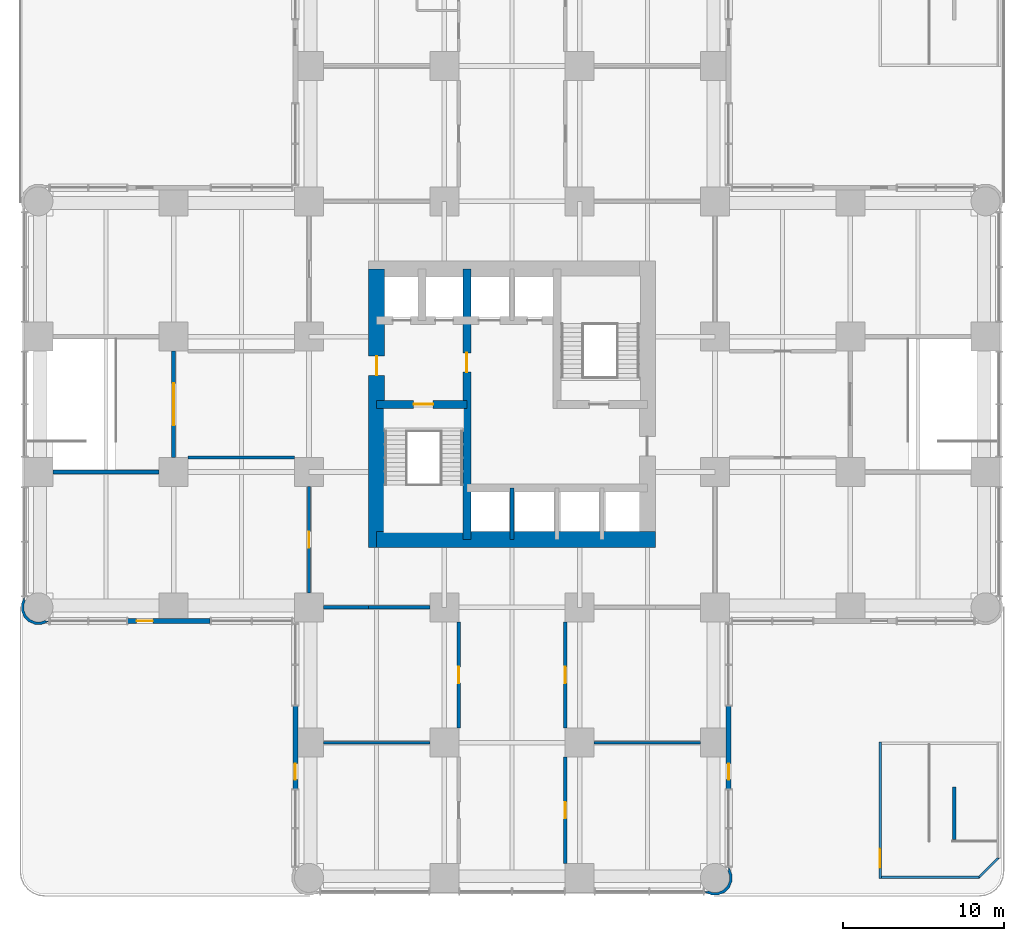
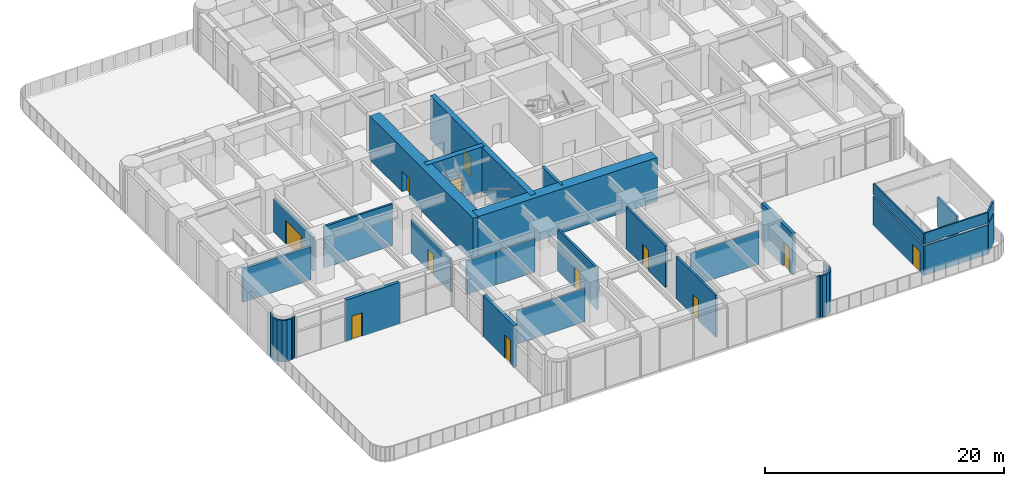
# One storey, part 10 of 21: 28 walls, 12 doors, 12 openings.
"""IFC4 building model written with IfcOpenShell, lengths in metres."""

import ifcopenshell
import ifcopenshell.guid

model = None  # the IFC model being written
_history = None  # IfcOwnerHistory: only IFC2X3 demands one
_inside = {}  # id of a spatial element -> (the spatial element, [elements in it])
_under = {}  # id of a project, library or spatial element -> (it, [spatial elements below it])
_declared = {}  # id of a project -> (the project, [libraries it declares])
_typed = {}  # id of a type object -> (the type object, [elements of that type])
_made_of = {}  # id of a material, layer set ... -> (it, [elements and type objects made of it])


def new_model(schema):
    """Start an empty IFC model of exactly this schema.

    Asked for "IFC4X3", IfcOpenShell would pick the latest addendum, in which some entities
    have other attributes; the version numbers below select the first issue.
    IFC2X3 requires an IfcOwnerHistory on every rooted entity: one is made here for all.
    """
    global model, _history
    if schema == "IFC4X3":
        model = ifcopenshell.file(schema_version=(4, 3, 0, 0))
    else:
        model = ifcopenshell.file(schema=schema)
    _inside.clear()
    _under.clear()
    _declared.clear()
    _typed.clear()
    _made_of.clear()
    _history = None
    if model.schema == "IFC2X3":
        org = make("IfcOrganization", Name="unknown")
        user = make(
            "IfcPersonAndOrganization",
            ThePerson=make("IfcPerson", FamilyName="unknown"),
            TheOrganization=org,
        )
        app = make(
            "IfcApplication",
            ApplicationDeveloper=org,
            Version="unknown",
            ApplicationFullName="unknown",
            ApplicationIdentifier="unknown",
        )
        _history = make(
            "IfcOwnerHistory",
            OwningUser=user,
            OwningApplication=app,
            ChangeAction="ADDED",
            CreationDate=0,
        )
    return model


def make(cls, **values):
    """One entity of the class cls with the attributes given. An attribute that is None is left unset."""
    return model.create_entity(
        cls, **{name: value for name, value in values.items() if value is not None}
    )


def rooted(cls, **values):
    """An entity with a GlobalId (a new one), such as an element, a storey or a relation."""
    return make(cls, GlobalId=ifcopenshell.guid.new(), OwnerHistory=_history, **values)


def si_unit(unit_type, name, prefix=None):
    """IfcSIUnit, for example si_unit("LENGTHUNIT", "METRE", prefix="MILLI")."""
    return make("IfcSIUnit", UnitType=unit_type, Prefix=prefix, Name=name)


def assignment(units):
    """IfcUnitAssignment: the units of a project."""
    return None if units is None else make("IfcUnitAssignment", Units=units)


def point(xyz):
    """IfcCartesianPoint."""
    return None if xyz is None else make("IfcCartesianPoint", Coordinates=xyz)


def direction(xyz):
    """IfcDirection."""
    return None if xyz is None else make("IfcDirection", DirectionRatios=xyz)


def frame(location, z_axis=None, x_axis=None):
    """IfcAxis2Placement3D, a coordinate frame: its origin and axes. An axis left out is left unset."""
    return make(
        "IfcAxis2Placement3D",
        Location=point(location),
        Axis=direction(z_axis),
        RefDirection=direction(x_axis),
    )


def frame_2d(location, x_axis=None):
    """IfcAxis2Placement2D, a coordinate frame in the plane: its origin and x axis."""
    return make(
        "IfcAxis2Placement2D", Location=point(location), RefDirection=direction(x_axis)
    )


def origin():
    """The frame at (0, 0, 0) with its axes left unset."""
    return frame((0.0, 0.0, 0.0))


def place(relative_to, where):
    """IfcLocalPlacement: puts the frame where relative to a parent placement (None: the world)."""
    return make(
        "IfcLocalPlacement", PlacementRelTo=relative_to, RelativePlacement=where
    )


def context(
    kind, dimensions, precision=None, world=None, true_north=None, identifier=None
):
    """IfcGeometricRepresentationContext, for example the 3D "Model" context."""
    return make(
        "IfcGeometricRepresentationContext",
        ContextIdentifier=identifier,
        ContextType=kind,
        CoordinateSpaceDimension=dimensions,
        Precision=precision,
        WorldCoordinateSystem=world,
        TrueNorth=true_north,
    )


def subcontext(parent, identifier, kind, view, scale=None):
    """IfcGeometricRepresentationSubContext, for example "Body" below "Model"."""
    return make(
        "IfcGeometricRepresentationSubContext",
        ContextIdentifier=identifier,
        ContextType=kind,
        ParentContext=parent,
        TargetScale=scale,
        TargetView=view,
    )


def project(units=None, contexts=None):
    """IfcProject with its units and contexts."""
    return rooted(
        "IfcProject",
        Name="project",
        RepresentationContexts=contexts,
        UnitsInContext=assignment(units),
    )


def spatial(cls, under=None, at=None, **own):
    """A site, building, storey or space (cls), placed at a placement, below another one or the project."""
    s = rooted(cls, ObjectPlacement=at, **own)
    if under is not None:
        _under.setdefault(under.id(), (under, []))[1].append(s)
    return s


def polyline(points):
    """IfcPolyline through the points."""
    return make("IfcPolyline", Points=[point(p) for p in points])


def profile(cls, at=None, kind="AREA", **sizes):
    """A parametric profile (cls). Its sizes go by their IFC names, for example OverallWidth=200.0."""
    return make(cls, ProfileType=kind, Position=at, **sizes)


def rectangle(**sizes):
    """IfcRectangleProfileDef."""
    return profile("IfcRectangleProfileDef", **sizes)


def outline(outer, holes=None, kind="AREA"):
    """IfcArbitraryClosedProfileDef: a profile drawn as a closed curve; with holes, ...WithVoids."""
    if holes is None:
        return make("IfcArbitraryClosedProfileDef", ProfileType=kind, OuterCurve=outer)
    return make(
        "IfcArbitraryProfileDefWithVoids",
        ProfileType=kind,
        OuterCurve=outer,
        InnerCurves=holes,
    )


def extrude(swept, where, along, depth):
    """IfcExtrudedAreaSolid: the profile swept, set in the frame where, extruded along a direction by depth."""
    return make(
        "IfcExtrudedAreaSolid",
        SweptArea=swept,
        Position=where,
        ExtrudedDirection=direction(along),
        Depth=depth,
    )


def shape(context_of_items, identifier, shape_type, items):
    """IfcShapeRepresentation: the items that make up one representation, for example the "Body"."""
    return make(
        "IfcShapeRepresentation",
        ContextOfItems=context_of_items,
        RepresentationIdentifier=identifier,
        RepresentationType=shape_type,
        Items=items,
    )


def material(Name=None, Category=None):
    """IfcMaterial."""
    return make("IfcMaterial", Name=Name, Category=Category)


def layer(
    of_material, thickness, ventilated=None, Name=None, Category=None, Priority=None
):
    """IfcMaterialLayer: one layer of a wall or slab, of a material (None: an air gap)."""
    return make(
        "IfcMaterialLayer",
        Material=of_material,
        LayerThickness=thickness,
        IsVentilated=ventilated,
        Name=Name,
        Category=Category,
        Priority=Priority,
    )


def layer_set(layers, Name=None):
    """IfcMaterialLayerSet."""
    return make("IfcMaterialLayerSet", MaterialLayers=layers, LayerSetName=Name)


def made_of(thing, what):
    """Note that an element or type object is made of a material, layer set ...; save() writes the relation."""
    if what is not None:
        _made_of.setdefault(what.id(), (what, []))[1].append(thing)
    return thing


def type_object(cls, material=None, **own):
    """A type object (cls), such as IfcWallType, which elements share."""
    return made_of(rooted(cls, **own), material)


def element(
    cls,
    number,
    at=None,
    inside=None,
    cuts=None,
    type_object=None,
    material=None,
    context=None,
    identifier="Body",
    shape_type=None,
    held_by="IfcProductDefinitionShape",
    body=None,
    shapes=None,
    **own,
):
    """One element of the class cls, such as IfcWall. Its Tag is "e" and its number.

    at: its placement. inside: the storey or other place that contains it. cuts: it is an
    opening in that element (IfcRelVoidsElement). A single representation is given by context,
    identifier, shape_type and body (its items); several are given by shapes. held_by: the class
    of the entity that holds the representations. save() writes the other relations.
    """
    e = rooted(cls, Tag="e%d" % number, ObjectPlacement=at, **own)
    if body is not None:
        shapes = [shape(context, identifier, shape_type, body)]
    if shapes is not None:
        e.Representation = make(held_by, Representations=shapes)
    if inside is not None:
        _inside.setdefault(inside.id(), (inside, []))[1].append(e)
    if cuts is not None:
        rooted(
            "IfcRelVoidsElement", RelatingBuildingElement=cuts, RelatedOpeningElement=e
        )
    if type_object is not None:
        _typed.setdefault(type_object.id(), (type_object, []))[1].append(e)
    return made_of(e, material)


def fill(opening, filler):
    """IfcRelFillsElement: the door or window that sits in an opening."""
    return rooted(
        "IfcRelFillsElement",
        RelatingOpeningElement=opening,
        RelatedBuildingElement=filler,
    )


def aggregate(whole, parts):
    """IfcRelAggregates: a whole, such as a stair, and the parts it consists of."""
    return rooted("IfcRelAggregates", RelatingObject=whole, RelatedObjects=parts)


def save(model, path):
    """Write the relations noted so far, then the file.

    IfcRelAggregates (storeys below a building ...), IfcRelContainedInSpatialStructure (elements
    in a storey), IfcRelDefinesByType, IfcRelAssociatesMaterial and IfcRelDeclares: one each for
    every whole, place, type object, material and project.
    """
    for whole, parts in _under.values():
        aggregate(whole, parts)
    for where, things in _inside.values():
        rooted(
            "IfcRelContainedInSpatialStructure",
            RelatedElements=things,
            RelatingStructure=where,
        )
    for kind, things in _typed.values():
        rooted("IfcRelDefinesByType", RelatedObjects=things, RelatingType=kind)
    for what, things in _made_of.values():
        rooted("IfcRelAssociatesMaterial", RelatedObjects=things, RelatingMaterial=what)
    for by, libraries in _declared.values():
        rooted("IfcRelDeclares", RelatingContext=by, RelatedDefinitions=libraries)
    model.write(path)


model = new_model("IFC4")

# Units and contexts
model_context = context("Model", 3, precision=1e-05, world=origin(), true_north=direction((0.0, 1.0)))
body_context = subcontext(model_context, "Body", "Model", "MODEL_VIEW")
ifc_project = project(units=[si_unit("LENGTHUNIT", "METRE"), si_unit("AREAUNIT", "SQUARE_METRE"), si_unit("VOLUMEUNIT", "CUBIC_METRE"), si_unit("PLANEANGLEUNIT", "RADIAN"), si_unit("MASSUNIT", "GRAM", prefix="KILO")], contexts=[model_context])

# Site, building, storey
site_placement = place(None, origin())
site = spatial("IfcSite", under=ifc_project, at=site_placement, CompositionType="ELEMENT")
building_placement = place(site_placement, origin())
building = spatial("IfcBuilding", under=site, at=building_placement, Name="Torre Alcanfor", CompositionType="ELEMENT")
storey_placement = place(building_placement, frame((0.0, 0.0, 24.0)))
storey = spatial("IfcBuildingStorey", under=building, at=storey_placement, Name="L05", CompositionType="ELEMENT", Elevation=24.0)

# Walls
ifc_material_1 = material(Name="Concrete block masonry, hollow blocks NMX-C-404 9 MPa", Category="masonry")
ifc_layer_1 = layer(ifc_material_1, 0.14990234375)
ifc_layer_set_1 = layer_set([ifc_layer_1], Name="Classroom partition 150")
wall_type_1 = type_object("IfcWallType", Name="Classroom partition 150", PredefinedType="PARTITIONING", material=ifc_layer_set_1)
for number, where, z_axis, x_axis, name in (
    (1, (17.699951171875, 8.39990234375, 0.0), (0.0, 0.0, 1.0), (1.0, 0.0, 0.0), "Partition L05-01 / L05-03"),
    (2, (34.5, 8.39990234375, 0.0), (0.0, 0.0, 1.0), (1.0, 0.0, 0.0), "Partition L05-02 / L05-04"),
):
    element("IfcWall", number, at=place(storey_placement, frame(where, z_axis=z_axis, x_axis=x_axis)), inside=storey, type_object=wall_type_1, Name=name, PredefinedType="PARTITIONING", context=body_context, shape_type="SweptSolid", body=[
        extrude(rectangle(XDim=6.60009765625, YDim=0.14990234375, at=frame_2d((3.300048828125, 0.0))), origin(), (0.0, 0.0, 1.0), 3.4091796875),
    ])

# Wall, opening, door
ifc_material_2 = material(Name="Concrete f'c 70 MPa", Category="concrete")
ifc_layer_2 = layer(ifc_material_2, 0.5)
ifc_layer_set_2 = layer_set([ifc_layer_2], Name="Core inner wall 500 f'c70")
wall_type_2 = type_object("IfcWallType", Name="Core inner wall 500 f'c70", PredefinedType="SHEAR", material=ifc_layer_set_2)
wall_1_placement = place(storey_placement, frame((26.60009765625, 21.0, 0.0), z_axis=(0.0, 0.0, 1.0), x_axis=(0.0, 1.0, 0.0)))
wall_1 = element("IfcWall", 3, at=wall_1_placement, inside=storey, type_object=wall_type_2, Name="Core wall X266 L05", PredefinedType="SHEAR", context=body_context, shape_type="SweptSolid", body=[
    extrude(rectangle(XDim=16.800048828125, YDim=0.5, at=frame_2d((8.39990234375, 0.0))), origin(), (0.0, 0.0, 1.0), 4.5),
])
opening_1_placement = place(wall_1_placement, frame((10.39990234375, 0.0, 0.0)))
opening_1 = element("IfcOpeningElement", 4, at=opening_1_placement, cuts=wall_1, Name="Opening D-L1", PredefinedType="OPENING", context=body_context, shape_type="SweptSolid", body=[
    extrude(rectangle(XDim=1.199951171875, YDim=2.10009765625, at=frame_2d((0.60009765625, 1.050048828125))), frame((0.0, 0.260009765625, 0.0), z_axis=(0.0, -1.0, 0.0), x_axis=(1.0, 0.0, 0.0)), (0.0, 0.0, 1.0), 0.52001953125),
])
ifc_material_3 = material(Name="Galvanised steel sheet ASTM A653", Category="steel")
door_type_1 = type_object("IfcDoorType", Name="Lobby door FD120 1200x2100", OperationType="SINGLE_SWING_LEFT", PredefinedType="DOOR", material=ifc_material_3)
door_1_placement = place(opening_1_placement, origin())
door_1 = element("IfcDoor", 5, at=door_1_placement, inside=storey, type_object=door_type_1, Name="Lift lobby door L05", OperationType="SINGLE_SWING_LEFT", OverallHeight=2.10009765625, OverallWidth=1.199951171875, PredefinedType="DOOR", context=body_context, shape_type="SweptSolid", body=[
    extrude(rectangle(XDim=1.199951171875, YDim=2.10009765625, at=frame_2d((0.60009765625, 1.050048828125))), frame((0.0, 0.02490234375, 0.0), z_axis=(0.0, -1.0, 0.0), x_axis=(1.0, 0.0, 0.0)), (0.0, 0.0, 1.0), 0.050048828125),
])
fill(opening_1, door_1)

wall_2_placement = place(storey_placement, frame((21.0, 29.39990234375, 0.0), z_axis=(0.0, 0.0, 1.0), x_axis=(1.0, 0.0, 0.0)))
wall_2 = element("IfcWall", 6, at=wall_2_placement, inside=storey, type_object=wall_type_2, Name="Core wall Y294W L05", PredefinedType="SHEAR", context=body_context, shape_type="SweptSolid", body=[
    extrude(rectangle(XDim=5.60009765625, YDim=0.5, at=frame_2d((2.800048828125, 0.0))), origin(), (0.0, 0.0, 1.0), 4.5),
])
opening_2_placement = place(wall_2_placement, frame((2.300048828125, 0.0, 0.0)))
opening_2 = element("IfcOpeningElement", 7, at=opening_2_placement, cuts=wall_2, Name="Opening D-S2", PredefinedType="OPENING", context=body_context, shape_type="SweptSolid", body=[
    extrude(rectangle(XDim=1.199951171875, YDim=2.10009765625, at=frame_2d((0.60009765625, 1.050048828125))), frame((0.0, 0.260009765625, 0.0), z_axis=(0.0, -1.0, 0.0), x_axis=(1.0, 0.0, 0.0)), (0.0, 0.0, 1.0), 0.52001953125),
])
ifc_material_4 = material(Name="Galvanised steel sheet ASTM A653", Category="steel")
door_type_2 = type_object("IfcDoorType", Name="Stair enclosure door FD120 1200x2100", OperationType="SINGLE_SWING_LEFT", PredefinedType="DOOR", material=ifc_material_4)
door_2_placement = place(opening_2_placement, frame((1.199951171875, 0.0, 0.0), z_axis=(0.0, 0.0, 1.0), x_axis=(-1.0, 0.0, 0.0)))
door_2 = element("IfcDoor", 8, at=door_2_placement, inside=storey, type_object=door_type_2, Name="Stair S1 door L05", OperationType="SINGLE_SWING_LEFT", OverallHeight=2.10009765625, OverallWidth=1.199951171875, PredefinedType="DOOR", context=body_context, shape_type="SweptSolid", body=[
    extrude(rectangle(XDim=1.199951171875, YDim=2.10009765625, at=frame_2d((0.599853515625, 1.050048828125))), frame((0.0, 0.025146484375, 0.0), z_axis=(0.0, -1.0, 0.0), x_axis=(1.0, 0.0, 0.0)), (0.0, 0.0, 1.0), 0.050048828125),
])
fill(opening_2, door_2)

# Walls
ifc_material_5 = material(Name="Concrete f'c 70 MPa", Category="concrete")
ifc_layer_3 = layer(ifc_material_5, 0.25)
ifc_layer_set_3 = layer_set([ifc_layer_3], Name="Core shaft wall 250 f'c70")
wall_type_3 = type_object("IfcWallType", Name="Core shaft wall 250 f'c70", PredefinedType="SHEAR", material=ifc_layer_set_3)
wall_3_placement = place(storey_placement, frame((29.39990234375, 21.0, 0.0), z_axis=(0.0, 0.0, 1.0), x_axis=(0.0, 1.0, 0.0)))
element("IfcWall", 9, at=wall_3_placement, inside=storey, type_object=wall_type_3, Name="Core wall X294S L05", PredefinedType="SHEAR", context=body_context, shape_type="SweptSolid", body=[
    extrude(rectangle(XDim=3.199951171875, YDim=0.25, at=frame_2d((1.60009765625, 0.0))), origin(), (0.0, 0.0, 1.0), 4.5),
])
ifc_material_6 = material(Name="Concrete f'c 70 MPa", Category="concrete")
ifc_layer_4 = layer(ifc_material_6, 1.0)
ifc_layer_set_4 = layer_set([ifc_layer_4], Name="Core wall 1000 f'c70")
wall_type_4 = type_object("IfcWallType", Name="Core wall 1000 f'c70", PredefinedType="SHEAR", material=ifc_layer_set_4)
wall_4_placement = place(storey_placement, frame((21.0, 21.0, 0.0), z_axis=(0.0, 0.0, 1.0), x_axis=(1.0, 0.0, 0.0)))
element("IfcWall", 10, at=wall_4_placement, inside=storey, type_object=wall_type_4, Name="Core wall OUT-S L05", PredefinedType="SHEAR", context=body_context, shape_type="SweptSolid", body=[
    extrude(rectangle(XDim=17.300048828125, YDim=1.0, at=frame_2d((8.64990234375, 0.0))), origin(), (0.0, 0.0, 1.0), 4.5),
])

# Wall, opening, door
wall_5_placement = place(storey_placement, frame((21.0, 37.800048828125, 0.0), z_axis=(0.0, 0.0, 1.0), x_axis=(0.0, -1.0, 0.0)))
wall_5 = element("IfcWall", 11, at=wall_5_placement, inside=storey, type_object=wall_type_4, Name="Core wall OUT-W L05", PredefinedType="SHEAR", context=body_context, shape_type="SweptSolid", body=[
    extrude(rectangle(XDim=17.300048828125, YDim=1.0, at=frame_2d((8.64990234375, 0.0))), origin(), (0.0, 0.0, 1.0), 4.5),
])
opening_3_placement = place(wall_5_placement, frame((5.39990234375, 0.0, 0.0)))
opening_3 = element("IfcOpeningElement", 12, at=opening_3_placement, cuts=wall_5, Name="Opening D-L1", PredefinedType="OPENING", context=body_context, shape_type="SweptSolid", body=[
    extrude(rectangle(XDim=1.199951171875, YDim=2.10009765625, at=frame_2d((0.60009765625, 1.050048828125))), frame((0.0, 0.510009765625, 0.0), z_axis=(0.0, -1.0, 0.0), x_axis=(1.0, 0.0, 0.0)), (0.0, 0.0, 1.0), 1.02001953125),
])
door_3_placement = place(opening_3_placement, origin())
door_3 = element("IfcDoor", 13, at=door_3_placement, inside=storey, type_object=door_type_1, Name="Firefighting lobby door L05", OperationType="SINGLE_SWING_LEFT", OverallHeight=2.10009765625, OverallWidth=1.199951171875, PredefinedType="DOOR", context=body_context, shape_type="SweptSolid", body=[
    extrude(rectangle(XDim=1.199951171875, YDim=2.10009765625, at=frame_2d((0.60009765625, 1.050048828125))), frame((0.0, 0.02490234375, 0.0), z_axis=(0.0, -1.0, 0.0), x_axis=(1.0, 0.0, 0.0)), (0.0, 0.0, 1.0), 0.050048828125),
])
fill(opening_3, door_3)

ifc_material_7 = material(Name="Limestone cladding", Category="masonry")
ifc_layer_5 = layer(ifc_material_7, 0.0400390625, Name="Facing")
ifc_material_8 = material(Name="Ventilated air cavity")
ifc_layer_6 = layer(ifc_material_8, 0.02001953125, ventilated=True, Name="Ventilated joint")
ifc_material_9 = material(Name="Mineral wool insulation", Category="insulation")
ifc_layer_7 = layer(ifc_material_9, 0.10009765625, Name="Insulation")
ifc_material_10 = material(Name="Concrete f'c 35 MPa", Category="concrete")
ifc_layer_8 = layer(ifc_material_10, 0.139892578125, Name="Backing")
ifc_layer_set_5 = layer_set([ifc_layer_5, ifc_layer_6, ifc_layer_7, ifc_layer_8], Name="External wall stone-clad 300")
wall_type_5 = type_object("IfcWallType", Name="External wall stone-clad 300", PredefinedType="SOLIDWALL", material=ifc_layer_set_5)
wall_6_placement = place(storey_placement, frame((5.533203125, 15.949951171875, 0.0), z_axis=(0.0, 0.0, 1.0), x_axis=(1.0, 0.0, 0.0)))
wall_6 = element("IfcWall", 14, at=wall_6_placement, inside=storey, type_object=wall_type_5, Name="External wall L05 3", PredefinedType="SOLIDWALL", context=body_context, shape_type="SweptSolid", body=[
    extrude(rectangle(XDim=5.133544921875, YDim=0.300048828125, at=frame_2d((2.56689453125, 0.0))), origin(), (0.0, 0.0, 1.0), 4.25),
])
opening_4_placement = place(wall_6_placement, frame((0.56689453125, 0.0, 0.0)))
opening_4 = element("IfcOpeningElement", 15, at=opening_4_placement, cuts=wall_6, Name="Opening D-T1", PredefinedType="OPENING", context=body_context, shape_type="SweptSolid", body=[
    extrude(rectangle(XDim=1.0, YDim=2.39990234375, at=frame_2d((0.5, 1.199951171875))), frame((0.0, 0.159912109375, 0.0), z_axis=(0.0, -1.0, 0.0), x_axis=(1.0, 0.0, 0.0)), (0.0, 0.0, 1.0), 0.320068359375),
])
ifc_material_11 = material(Name="Aluminium and glass", Category="aluminium")
door_type_3 = type_object("IfcDoorType", Name="Play deck door glazed 1000x2400", OperationType="SINGLE_SWING_RIGHT", PredefinedType="DOOR", material=ifc_material_11)
door_4_placement = place(opening_4_placement, origin())
door_4 = element("IfcDoor", 16, at=door_4_placement, inside=storey, type_object=door_type_3, Name="Play deck door L05 3.1", OperationType="SINGLE_SWING_RIGHT", OverallHeight=2.39990234375, OverallWidth=1.0, PredefinedType="DOOR", context=body_context, shape_type="SweptSolid", body=[
    extrude(rectangle(XDim=1.0, YDim=2.39990234375, at=frame_2d((0.5, 1.199951171875))), frame((0.0, 0.02490234375, 0.0), z_axis=(0.0, -1.0, 0.0), x_axis=(1.0, 0.0, 0.0)), (0.0, 0.0, 1.0), 0.050048828125),
])
fill(opening_4, door_4)

wall_7_placement = place(storey_placement, frame((15.949951171875, 10.666748046875, 0.0), z_axis=(0.0, 0.0, 1.0), x_axis=(0.0, -1.0, 0.0)))
wall_7 = element("IfcWall", 17, at=wall_7_placement, inside=storey, type_object=wall_type_5, Name="External wall L05 4", PredefinedType="SOLIDWALL", context=body_context, shape_type="SweptSolid", body=[
    extrude(rectangle(XDim=5.133544921875, YDim=0.300048828125, at=frame_2d((2.56689453125, 0.0))), origin(), (0.0, 0.0, 1.0), 4.25),
])
opening_5_placement = place(wall_7_placement, frame((3.56689453125, 0.0, 0.0)))
opening_5 = element("IfcOpeningElement", 18, at=opening_5_placement, cuts=wall_7, Name="Opening D-T1", PredefinedType="OPENING", context=body_context, shape_type="SweptSolid", body=[
    extrude(rectangle(XDim=1.0, YDim=2.39990234375, at=frame_2d((0.5, 1.199951171875))), frame((0.0, 0.159912109375, 0.0), z_axis=(0.0, -1.0, 0.0), x_axis=(1.0, 0.0, 0.0)), (0.0, 0.0, 1.0), 0.320068359375),
])
door_5_placement = place(opening_5_placement, origin())
door_5 = element("IfcDoor", 19, at=door_5_placement, inside=storey, type_object=door_type_3, Name="Play deck door L05 4.1", OperationType="SINGLE_SWING_LEFT", OverallHeight=2.39990234375, OverallWidth=1.0, PredefinedType="DOOR", context=body_context, shape_type="SweptSolid", body=[
    extrude(rectangle(XDim=1.0, YDim=2.39990234375, at=frame_2d((0.5, 1.199951171875))), frame((0.0, 0.02490234375, 0.0), z_axis=(0.0, -1.0, 0.0), x_axis=(1.0, 0.0, 0.0)), (0.0, 0.0, 1.0), 0.050048828125),
])
fill(opening_5, door_5)

wall_8_placement = place(storey_placement, frame((42.85009765625, 5.533203125, 0.0), z_axis=(0.0, 0.0, 1.0), x_axis=(0.0, 1.0, 0.0)))
wall_8 = element("IfcWall", 20, at=wall_8_placement, inside=storey, type_object=wall_type_5, Name="External wall L05 6", PredefinedType="SOLIDWALL", context=body_context, shape_type="SweptSolid", body=[
    extrude(rectangle(XDim=5.133544921875, YDim=0.300048828125, at=frame_2d((2.56689453125, 0.0))), origin(), (0.0, 0.0, 1.0), 4.25),
])
opening_6_placement = place(wall_8_placement, frame((0.56689453125, 0.0, 0.0)))
opening_6 = element("IfcOpeningElement", 21, at=opening_6_placement, cuts=wall_8, Name="Opening D-T1", PredefinedType="OPENING", context=body_context, shape_type="SweptSolid", body=[
    extrude(rectangle(XDim=1.0, YDim=2.39990234375, at=frame_2d((0.5, 1.199951171875))), frame((0.0, 0.159912109375, 0.0), z_axis=(0.0, -1.0, 0.0), x_axis=(1.0, 0.0, 0.0)), (0.0, 0.0, 1.0), 0.320068359375),
])
door_6_placement = place(opening_6_placement, origin())
door_6 = element("IfcDoor", 22, at=door_6_placement, inside=storey, type_object=door_type_3, Name="Play deck door L05 6.1", OperationType="SINGLE_SWING_RIGHT", OverallHeight=2.39990234375, OverallWidth=1.0, PredefinedType="DOOR", context=body_context, shape_type="SweptSolid", body=[
    extrude(rectangle(XDim=1.0, YDim=2.39990234375, at=frame_2d((0.5, 1.199951171875))), frame((0.0, 0.02490234375, 0.0), z_axis=(0.0, -1.0, 0.0), x_axis=(1.0, 0.0, 0.0)), (0.0, 0.0, 1.0), 0.050048828125),
])
fill(opening_6, door_6)

# Walls
ifc_material_12 = material(Name="Concrete f'c 35 MPa", Category="concrete")
ifc_layer_9 = layer(ifc_material_12, 0.14990234375)
ifc_layer_set_6 = layer_set([ifc_layer_9], Name="Head-house parapet 150")
wall_type_6 = type_object("IfcWallType", Name="Head-house parapet 150", PredefinedType="PARAPET", material=ifc_layer_set_6)
wall_9_placement = place(storey_placement, frame((52.25, -0.02490234375, 3.199951171875), z_axis=(0.0, 0.0, 1.0), x_axis=(0.0, 1.0, 0.0)))
element("IfcWall", 23, at=wall_9_placement, inside=storey, type_object=wall_type_6, Name="Head-house parapet SS3 west", PredefinedType="PARAPET", context=body_context, shape_type="SweptSolid", body=[
    extrude(rectangle(XDim=8.449951171875, YDim=0.14990234375, at=frame_2d((4.22509765625, 0.0))), origin(), (0.0, 0.0, 1.0), 1.10009765625),
])
wall_10_placement = place(storey_placement, frame((52.324951171875, 0.050048828125, 3.199951171875), z_axis=(0.0, 0.0, 1.0), x_axis=(1.0, 0.0, 0.0)))
element("IfcWall", 24, at=wall_10_placement, inside=storey, type_object=wall_type_6, Name="Head-house parapet SS3 south", PredefinedType="PARAPET", context=body_context, shape_type="SweptSolid", body=[
    extrude(rectangle(XDim=6.074951171875, YDim=0.14990234375, at=frame_2d((3.03759765625, 0.0))), origin(), (0.0, 0.0, 1.0), 1.10009765625),
])
wall_11_placement = place(storey_placement, frame((58.39990234375, 0.050048828125, 3.199951171875), z_axis=(0.0, 0.0, 1.0), x_axis=(0.707106781187, 0.707106781187, 0.0)))
element("IfcWall", 25, at=wall_11_placement, inside=storey, type_object=wall_type_6, Name="Head-house parapet SS3 south-east", PredefinedType="PARAPET", context=body_context, shape_type="SweptSolid", body=[
    extrude(rectangle(XDim=1.661865234375, YDim=0.14990234375, at=frame_2d((0.8310546875, 0.0))), origin(), (0.0, 0.0, 1.0), 1.10009765625),
])
ifc_layer_10 = layer(ifc_material_7, 0.0400390625, Name="Facing")
ifc_layer_11 = layer(ifc_material_8, 0.02001953125, ventilated=True, Name="Ventilated joint")
ifc_layer_12 = layer(ifc_material_9, 0.10009765625, Name="Insulation")
ifc_layer_13 = layer(ifc_material_10, 0.139892578125, Name="Backing")
ifc_layer_set_7 = layer_set([ifc_layer_10, ifc_layer_11, ifc_layer_12, ifc_layer_13], Name="Rounded corner pier stone-clad 300")
wall_type_7 = type_object("IfcWallType", Name="Rounded corner pier stone-clad 300", PredefinedType="SOLIDWALL", material=ifc_layer_set_7)
wall_12_placement = place(storey_placement, frame((-0.77886844, 17.394780593, 0.0), z_axis=(0.0, 0.0, 1.0), x_axis=(-0.707106781187, -0.707106781187, 0.0)))
element("IfcWall", 26, at=wall_12_placement, inside=storey, type_object=wall_type_7, Name="Corner pier L05 14", PredefinedType="SOLIDWALL", context=body_context, shape_type="SweptSolid", body=[
    extrude(outline(polyline([(0.29412883046249716, 1.96116245977091), (0.278591816227441, 1.9494233823488678), (0.08075383496772826, 2.0312516573201624), (0.011873071858980122, 2.031424290811663), (0.17414855386956474, 1.8691488088010786), (0.13288914940091612, 1.8375568798564648), (0.3802729427213075, 1.735185219396596), (0.6336989082442206, 1.4817592538736828), (0.7709425339872149, 1.1504755836839893), (0.770942533987215, 0.7920884553286981), (0.6335262747527199, 0.4609774186305051), (0.38010030922980687, 0.20755145310759204), (0.1328891494009162, 0.10500715915622261), (0.17414855386956485, 0.07341523021160878), (0.011873071858980198, -0.08886025179897586), (0.08075383496772835, -0.08868761830747525), (0.2785918162274411, -0.006859343336180435), (0.2941288304624971, -0.01859842075822271), (0.3146722159510711, 0.008159770424373686), (0.4703876252846322, 0.07272469624560632), (0.7685256651062063, 0.37086273606718045), (0.9297653461677872, 0.7603238928925836), (0.9297653461677872, 1.1822401461201038), (0.7683530316147056, 1.5718739364370073), (0.47038762528463207, 1.8698393427670807), (0.3146722159510711, 1.9344042685883136), (0.29412883046249716, 1.96116245977091)])), origin(), (0.0, 0.0, 1.0), 4.25),
])
wall_13_placement = place(storey_placement, frame((41.405219407, -0.77886844, 0.0), z_axis=(0.0, 0.0, 1.0), x_axis=(0.707106781187, -0.707106781187, 0.0)))
element("IfcWall", 27, at=wall_13_placement, inside=storey, type_object=wall_type_7, Name="Corner pier L05 16", PredefinedType="SOLIDWALL", context=body_context, shape_type="SweptSolid", body=[
    extrude(outline(polyline([(0.2941633571607991, 1.961196986469212), (0.2786263429257432, 1.94945790904717), (0.08078836166603043, 2.0312861840184646), (0.011907598557282295, 2.0314588175099653), (0.17401044707636626, 1.8693559689908814), (0.13292367609921818, 1.837591406554767), (0.38013483592810904, 1.7350471126033975), (0.6335608014510221, 1.4816211470804843), (0.7709770606855171, 1.1505101103822915), (0.7709770606855171, 0.7921229820270002), (0.633560801451022, 0.4610119453288072), (0.380134835928109, 0.20758597980589416), (0.13292367609921835, 0.10504168585452474), (0.17401044707636637, 0.07327712341841029), (0.01190759855728233, -0.08882572510067374), (0.0807883616660305, -0.0886530916091731), (0.2786263429257433, -0.006824816637878289), (0.2941633571607992, -0.018563894059920594), (0.31470674264937326, 0.008194297122675831), (0.47042215198293424, 0.07275922294390844), (0.7683875583130078, 0.37072462927398186), (0.9297998728660893, 0.7603584195908858), (0.9297998728660893, 1.182274672818406), (0.7683875583130078, 1.5719084631353095), (0.47042215198293424, 1.869873869465383), (0.31470674264937326, 1.9344387952866158), (0.2941633571607991, 1.961196986469212)])), origin(), (0.0, 0.0, 1.0), 4.25),
])

# Wall, opening, door
ifc_material_13 = material(Name="Concrete block masonry, hollow blocks NMX-C-404 9 MPa", Category="masonry")
ifc_layer_14 = layer(ifc_material_13, 0.199951171875)
ifc_layer_set_8 = layer_set([ifc_layer_14], Name="School corridor wall 200")
wall_type_8 = type_object("IfcWallType", Name="School corridor wall 200", PredefinedType="PARTITIONING", material=ifc_layer_set_8)
wall_14_placement = place(storey_placement, frame((32.699951171875, 0.89990234375, 0.0), z_axis=(0.0, 0.0, 1.0), x_axis=(0.0, 1.0, 0.0)))
wall_14 = element("IfcWall", 28, at=wall_14_placement, inside=storey, type_object=wall_type_8, Name="Partition L05-02 / L05-CORR2", PredefinedType="PARTITIONING", context=body_context, shape_type="SweptSolid", body=[
    extrude(rectangle(XDim=6.60009765625, YDim=0.199951171875, at=frame_2d((3.300048828125, 0.0))), origin(), (0.0, 0.0, 1.0), 4.25),
])
opening_7_placement = place(wall_14_placement, frame((2.800048828125, 0.0, 0.0)))
opening_7 = element("IfcOpeningElement", 29, at=opening_7_placement, cuts=wall_14, Name="Opening D-C1", PredefinedType="OPENING", context=body_context, shape_type="SweptSolid", body=[
    extrude(rectangle(XDim=1.0, YDim=2.10009765625, at=frame_2d((0.5, 1.050048828125))), frame((0.0, 0.10986328125, 0.0), z_axis=(0.0, -1.0, 0.0), x_axis=(1.0, 0.0, 0.0)), (0.0, 0.0, 1.0), 0.219970703125),
])
ifc_material_14 = material(Name="Timber", Category="wood")
door_type_4 = type_object("IfcDoorType", Name="Classroom door 1000x2100", OperationType="SINGLE_SWING_RIGHT", PredefinedType="DOOR", material=ifc_material_14)
door_7_placement = place(opening_7_placement, frame((1.0, 0.0, 0.0), z_axis=(0.0, 0.0, 1.0), x_axis=(-1.0, 0.0, 0.0)))
door_7 = element("IfcDoor", 30, at=door_7_placement, inside=storey, type_object=door_type_4, Name="Door L05-02 classroom", OperationType="SINGLE_SWING_RIGHT", OverallHeight=2.10009765625, OverallWidth=1.0, PredefinedType="DOOR", context=body_context, shape_type="SweptSolid", body=[
    extrude(rectangle(XDim=1.0, YDim=2.10009765625, at=frame_2d((0.5, 1.050048828125))), frame((0.0, 0.025146484375, 0.0), z_axis=(0.0, -1.0, 0.0), x_axis=(1.0, 0.0, 0.0)), (0.0, 0.0, 1.0), 0.050048828125),
])
fill(opening_7, door_7)

# Wall
wall_15_placement = place(storey_placement, frame((20.5, 16.800048828125, 0.0), z_axis=(0.0, 0.0, 1.0), x_axis=(1.0, 0.0, 0.0)))
element("IfcWall", 31, at=wall_15_placement, inside=storey, type_object=wall_type_8, Name="Partition L05-03 / L05-CORR2", PredefinedType="PARTITIONING", context=body_context, shape_type="SweptSolid", body=[
    extrude(rectangle(XDim=3.800048828125, YDim=0.199951171875, at=frame_2d((1.89990234375, 0.0))), origin(), (0.0, 0.0, 1.0), 3.4091796875),
])

# Wall, opening, door
wall_16_placement = place(storey_placement, frame((26.10009765625, 15.89990234375, 0.0), z_axis=(0.0, 0.0, 1.0), x_axis=(0.0, -1.0, 0.0)))
wall_16 = element("IfcWall", 32, at=wall_16_placement, inside=storey, type_object=wall_type_8, Name="Partition L05-03 / L05-CORR2", PredefinedType="PARTITIONING", context=body_context, shape_type="SweptSolid", body=[
    extrude(rectangle(XDim=6.599853515625, YDim=0.199951171875, at=frame_2d((3.2998046875, 0.0))), origin(), (0.0, 0.0, 1.0), 4.25),
])
opening_8_placement = place(wall_16_placement, frame((2.800048828125, 0.0, 0.0)))
opening_8 = element("IfcOpeningElement", 33, at=opening_8_placement, cuts=wall_16, Name="Opening D-C1", PredefinedType="OPENING", context=body_context, shape_type="SweptSolid", body=[
    extrude(rectangle(XDim=1.0, YDim=2.10009765625, at=frame_2d((0.5, 1.050048828125))), frame((0.0, 0.10986328125, 0.0), z_axis=(0.0, -1.0, 0.0), x_axis=(1.0, 0.0, 0.0)), (0.0, 0.0, 1.0), 0.219970703125),
])
door_8_placement = place(opening_8_placement, frame((1.0, 0.0, 0.0), z_axis=(0.0, 0.0, 1.0), x_axis=(-1.0, 0.0, 0.0)))
door_8 = element("IfcDoor", 34, at=door_8_placement, inside=storey, type_object=door_type_4, Name="Door L05-03 classroom", OperationType="SINGLE_SWING_RIGHT", OverallHeight=2.10009765625, OverallWidth=1.0, PredefinedType="DOOR", context=body_context, shape_type="SweptSolid", body=[
    extrude(rectangle(XDim=1.0, YDim=2.10009765625, at=frame_2d((0.5, 1.050048828125))), frame((0.0, 0.025146484375, 0.0), z_axis=(0.0, -1.0, 0.0), x_axis=(1.0, 0.0, 0.0)), (0.0, 0.0, 1.0), 0.050048828125),
])
fill(opening_8, door_8)

# Wall
wall_17_placement = place(storey_placement, frame((17.699951171875, 16.800048828125, 0.0), z_axis=(0.0, 0.0, 1.0), x_axis=(1.0, 0.0, 0.0)))
element("IfcWall", 35, at=wall_17_placement, inside=storey, type_object=wall_type_8, Name="Partition L05-03 / L05-LLW", PredefinedType="PARTITIONING", context=body_context, shape_type="SweptSolid", body=[
    extrude(rectangle(XDim=2.800048828125, YDim=0.199951171875, at=frame_2d((1.39990234375, 0.0))), origin(), (0.0, 0.0, 1.0), 3.4091796875),
])

# Wall, opening, door
wall_18_placement = place(storey_placement, frame((32.699951171875, 9.300048828125, 0.0), z_axis=(0.0, 0.0, 1.0), x_axis=(0.0, 1.0, 0.0)))
wall_18 = element("IfcWall", 36, at=wall_18_placement, inside=storey, type_object=wall_type_8, Name="Partition L05-04 / L05-CORR2", PredefinedType="PARTITIONING", context=body_context, shape_type="SweptSolid", body=[
    extrude(rectangle(XDim=6.599853515625, YDim=0.199951171875, at=frame_2d((3.2998046875, 0.0))), origin(), (0.0, 0.0, 1.0), 4.25),
])
opening_9_placement = place(wall_18_placement, frame((2.800048828125, 0.0, 0.0)))
opening_9 = element("IfcOpeningElement", 37, at=opening_9_placement, cuts=wall_18, Name="Opening D-C1", PredefinedType="OPENING", context=body_context, shape_type="SweptSolid", body=[
    extrude(rectangle(XDim=1.0, YDim=2.10009765625, at=frame_2d((0.5, 1.050048828125))), frame((0.0, 0.10986328125, 0.0), z_axis=(0.0, -1.0, 0.0), x_axis=(1.0, 0.0, 0.0)), (0.0, 0.0, 1.0), 0.219970703125),
])
door_9_placement = place(opening_9_placement, frame((1.0, 0.0, 0.0), z_axis=(0.0, 0.0, 1.0), x_axis=(-1.0, 0.0, 0.0)))
door_9 = element("IfcDoor", 38, at=door_9_placement, inside=storey, type_object=door_type_4, Name="Door L05-04 classroom", OperationType="SINGLE_SWING_RIGHT", OverallHeight=2.10009765625, OverallWidth=1.0, PredefinedType="DOOR", context=body_context, shape_type="SweptSolid", body=[
    extrude(rectangle(XDim=1.0, YDim=2.10009765625, at=frame_2d((0.5, 1.050048828125))), frame((0.0, 0.025146484375, 0.0), z_axis=(0.0, -1.0, 0.0), x_axis=(1.0, 0.0, 0.0)), (0.0, 0.0, 1.0), 0.050048828125),
])
fill(opening_9, door_9)

# Wall
wall_19_placement = place(storey_placement, frame((9.300048828125, 26.10009765625, 0.0), z_axis=(0.0, 0.0, 1.0), x_axis=(1.0, 0.0, 0.0)))
element("IfcWall", 39, at=wall_19_placement, inside=storey, type_object=wall_type_8, Name="Partition L05-05 / L05-CORR3", PredefinedType="PARTITIONING", context=body_context, shape_type="SweptSolid", body=[
    extrude(rectangle(XDim=6.599853515625, YDim=0.199951171875, at=frame_2d((3.2998046875, 0.0))), origin(), (0.0, 0.0, 1.0), 4.25),
])

# Wall, opening, door
wall_20_placement = place(storey_placement, frame((16.800048828125, 24.300048828125, 0.0), z_axis=(0.0, 0.0, 1.0), x_axis=(0.0, -1.0, 0.0)))
wall_20 = element("IfcWall", 40, at=wall_20_placement, inside=storey, type_object=wall_type_8, Name="Partition L05-05 / L05-LLW", PredefinedType="PARTITIONING", context=body_context, shape_type="SweptSolid", body=[
    extrude(rectangle(XDim=6.60009765625, YDim=0.199951171875, at=frame_2d((3.300048828125, 0.0))), origin(), (0.0, 0.0, 1.0), 3.4091796875),
])
opening_10_placement = place(wall_20_placement, frame((2.800048828125, 0.0, 0.0)))
opening_10 = element("IfcOpeningElement", 41, at=opening_10_placement, cuts=wall_20, Name="Opening D-C1", PredefinedType="OPENING", context=body_context, shape_type="SweptSolid", body=[
    extrude(rectangle(XDim=1.0, YDim=2.10009765625, at=frame_2d((0.5, 1.050048828125))), frame((0.0, 0.10986328125, 0.0), z_axis=(0.0, -1.0, 0.0), x_axis=(1.0, 0.0, 0.0)), (0.0, 0.0, 1.0), 0.219970703125),
])
door_10_placement = place(opening_10_placement, frame((1.0, 0.0, 0.0), z_axis=(0.0, 0.0, 1.0), x_axis=(-1.0, 0.0, 0.0)))
door_10 = element("IfcDoor", 42, at=door_10_placement, inside=storey, type_object=door_type_4, Name="Door L05-05 science laboratory", OperationType="SINGLE_SWING_RIGHT", OverallHeight=2.10009765625, OverallWidth=1.0, PredefinedType="DOOR", context=body_context, shape_type="SweptSolid", body=[
    extrude(rectangle(XDim=1.0, YDim=2.10009765625, at=frame_2d((0.5, 1.050048828125))), frame((0.0, 0.025146484375, 0.0), z_axis=(0.0, -1.0, 0.0), x_axis=(1.0, 0.0, 0.0)), (0.0, 0.0, 1.0), 0.050048828125),
])
fill(opening_10, door_10)

# Wall
ifc_material_15 = material(Name="Reinforced concrete block masonry, hollow blocks NMX-C-404 9 MPa", Category="masonry")
ifc_layer_15 = layer(ifc_material_15, 0.25)
ifc_layer_set_9 = layer_set([ifc_layer_15], Name="Stair enclosure wall 250 EI 120")
wall_type_9 = type_object("IfcWallType", Name="Stair enclosure wall 250 EI 120", PredefinedType="SOLIDWALL", material=ifc_layer_set_9)
wall_21_placement = place(storey_placement, frame((7.5, 25.199951171875, 0.0), z_axis=(0.0, 0.0, 1.0), x_axis=(-1.0, 0.0, 0.0)))
element("IfcWall", 43, at=wall_21_placement, inside=storey, type_object=wall_type_9, Name="Partition L05-SS1 / L05-05", PredefinedType="SOLIDWALL", context=body_context, shape_type="SweptSolid", body=[
    extrude(rectangle(XDim=6.60009765625, YDim=0.25, at=frame_2d((3.300048828125, 0.0))), origin(), (0.0, 0.0, 1.0), 3.4091796875),
])

# Wall, opening, door
wall_22_placement = place(storey_placement, frame((8.39990234375, 32.699951171875, 0.0), z_axis=(0.0, 0.0, 1.0), x_axis=(0.0, -1.0, 0.0)))
wall_22 = element("IfcWall", 44, at=wall_22_placement, inside=storey, type_object=wall_type_9, Name="Partition L05-SS1 / L05-CORR3", PredefinedType="SOLIDWALL", context=body_context, shape_type="SweptSolid", body=[
    extrude(rectangle(XDim=6.599853515625, YDim=0.25, at=frame_2d((3.2998046875, 0.0))), origin(), (0.0, 0.0, 1.0), 3.4091796875),
])
opening_11_placement = place(wall_22_placement, frame((2.0, 0.0, 0.0)))
opening_11 = element("IfcOpeningElement", 45, at=opening_11_placement, cuts=wall_22, Name="Opening D-S4", PredefinedType="OPENING", context=body_context, shape_type="SweptSolid", body=[
    extrude(rectangle(XDim=2.60009765625, YDim=2.39990234375, at=frame_2d((1.300048828125, 1.199951171875))), frame((0.0, 0.135009765625, 0.0), z_axis=(0.0, -1.0, 0.0), x_axis=(1.0, 0.0, 0.0)), (0.0, 0.0, 1.0), 0.27001953125),
])
ifc_material_16 = material(Name="Galvanised steel sheet ASTM A653", Category="steel")
door_type_5 = type_object("IfcDoorType", Name="School stair double door FD120 2600x2400", OperationType="DOUBLE_DOOR_SINGLE_SWING", PredefinedType="DOOR", material=ifc_material_16)
door_11_placement = place(opening_11_placement, frame((2.60009765625, 0.0, 0.0), z_axis=(0.0, 0.0, 1.0), x_axis=(-1.0, 0.0, 0.0)))
door_11 = element("IfcDoor", 46, at=door_11_placement, inside=storey, type_object=door_type_5, Name="Door L05-SS1 school stair ss1", OperationType="DOUBLE_DOOR_SINGLE_SWING", OverallHeight=2.39990234375, OverallWidth=2.60009765625, PredefinedType="DOOR", context=body_context, shape_type="SweptSolid", body=[
    extrude(rectangle(XDim=2.60009765625, YDim=2.39990234375, at=frame_2d((1.300048828125, 1.199951171875))), frame((0.0, 0.025146484375, 0.0), z_axis=(0.0, -1.0, 0.0), x_axis=(1.0, 0.0, 0.0)), (0.0, 0.0, 1.0), 0.050048828125),
])
fill(opening_11, door_11)

ifc_material_17 = material(Name="Concrete f'c 35 MPa", Category="concrete")
ifc_layer_16 = layer(ifc_material_17, 0.14990234375)
ifc_layer_set_10 = layer_set([ifc_layer_16], Name="Stair head-house wall 150 EI 120")
wall_type_10 = type_object("IfcWallType", Name="Stair head-house wall 150 EI 120", PredefinedType="SOLIDWALL", material=ifc_layer_set_10)
wall_23_placement = place(storey_placement, frame((52.25, -0.02490234375, 0.0), z_axis=(0.0, 0.0, 1.0), x_axis=(0.0, 1.0, 0.0)))
wall_23 = element("IfcWall", 47, at=wall_23_placement, inside=storey, type_object=wall_type_10, Name="Stair head-house wall SS3 west", PredefinedType="SOLIDWALL", context=body_context, shape_type="SweptSolid", body=[
    extrude(rectangle(XDim=8.449951171875, YDim=0.14990234375, at=frame_2d((4.22509765625, 0.0))), origin(), (0.0, 0.0, 1.0), 3.0),
])
opening_12_placement = place(wall_23_placement, frame((0.64990234375, 0.0, 0.0)))
opening_12 = element("IfcOpeningElement", 48, at=opening_12_placement, cuts=wall_23, Name="Opening D-L1", PredefinedType="OPENING", context=body_context, shape_type="SweptSolid", body=[
    extrude(rectangle(XDim=1.199951171875, YDim=2.10009765625, at=frame_2d((0.60009765625, 1.050048828125))), frame((0.0, 0.0849609375, 0.0), z_axis=(0.0, -1.0, 0.0), x_axis=(1.0, 0.0, 0.0)), (0.0, 0.0, 1.0), 0.169921875),
])
door_12_placement = place(opening_12_placement, origin())
door_12 = element("IfcDoor", 49, at=door_12_placement, inside=storey, type_object=door_type_1, Name="Door SS3 head-house from terrace", OperationType="SINGLE_SWING_LEFT", OverallHeight=2.10009765625, OverallWidth=1.199951171875, PredefinedType="DOOR", context=body_context, shape_type="SweptSolid", body=[
    extrude(rectangle(XDim=1.199951171875, YDim=2.10009765625, at=frame_2d((0.60009765625, 1.050048828125))), frame((0.0, 0.02490234375, 0.0), z_axis=(0.0, -1.0, 0.0), x_axis=(1.0, 0.0, 0.0)), (0.0, 0.0, 1.0), 0.050048828125),
])
fill(opening_12, door_12)

# Walls
wall_24_placement = place(storey_placement, frame((52.324951171875, 0.050048828125, 0.0), z_axis=(0.0, 0.0, 1.0), x_axis=(1.0, 0.0, 0.0)))
element("IfcWall", 50, at=wall_24_placement, inside=storey, type_object=wall_type_10, Name="Stair head-house wall SS3 south", PredefinedType="SOLIDWALL", context=body_context, shape_type="SweptSolid", body=[
    extrude(rectangle(XDim=6.074951171875, YDim=0.14990234375, at=frame_2d((3.03759765625, 0.0))), origin(), (0.0, 0.0, 1.0), 3.0),
])
wall_25_placement = place(storey_placement, origin())
element("IfcWall", 51, at=wall_25_placement, inside=storey, type_object=wall_type_10, Name="Stair head-house wall SS3 south-east", PredefinedType="SOLIDWALL", context=body_context, shape_type="SweptSolid", body=[
    extrude(outline(polyline([(59.68115234375, 1.22509765625), (59.5, 1.22509765625), (59.5, 1.256103515625), (58.368896484375, 0.125), (58.39990234375, 0.125), (58.39990234375, -0.02490234375), (58.452880859375, -0.0029296875), (59.68115234375, 1.22509765625)])), origin(), (0.0, 0.0, 1.0), 3.0),
])
ifc_material_18 = material(Name="Concrete f'c 35 MPa", Category="concrete")
ifc_layer_17 = layer(ifc_material_18, 0.199951171875)
ifc_layer_set_11 = layer_set([ifc_layer_17], Name="Stair spine wall 200")
wall_type_11 = type_object("IfcWallType", Name="Stair spine wall 200", PredefinedType="SOLIDWALL", material=ifc_layer_set_11)
wall_26_placement = place(storey_placement, frame((56.85009765625, 2.375, 0.0), z_axis=(0.0, 0.0, 1.0), x_axis=(0.0, 1.0, 0.0)))
element("IfcWall", 52, at=wall_26_placement, inside=storey, type_object=wall_type_11, Name="Stair spine wall SS3 L05", PredefinedType="SOLIDWALL", context=body_context, shape_type="SweptSolid", body=[
    extrude(rectangle(XDim=3.260009765625, YDim=0.199951171875, at=frame_2d((1.6298828125, 0.0))), origin(), (0.0, 0.0, 1.0), 3.0),
])

save(model, "model.ifc")
